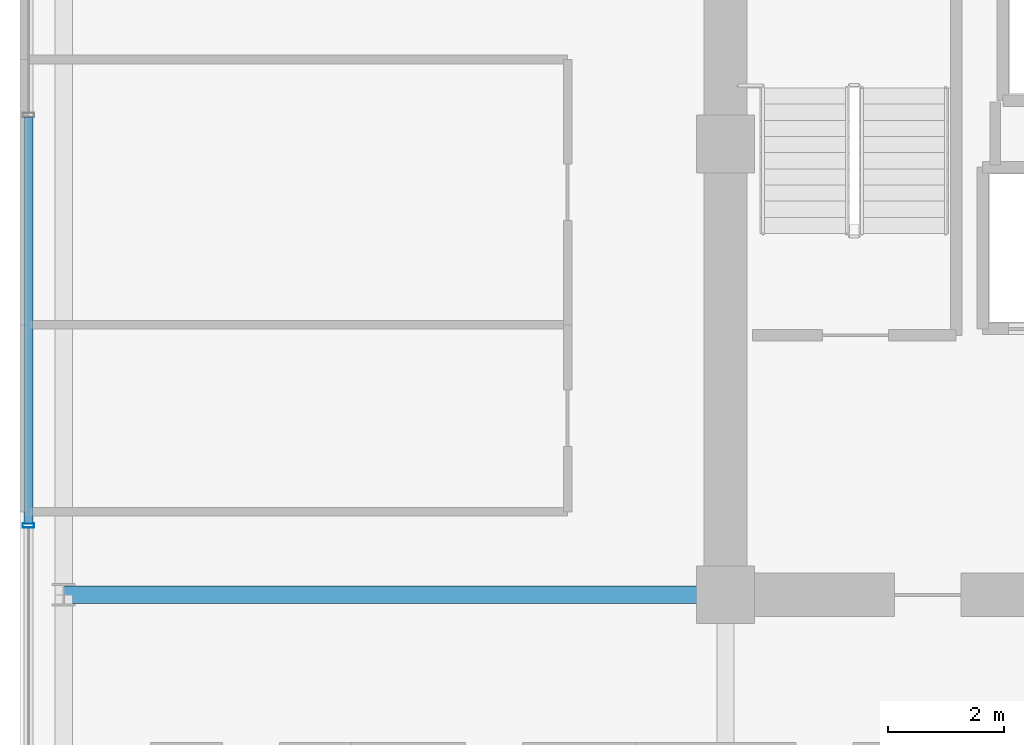
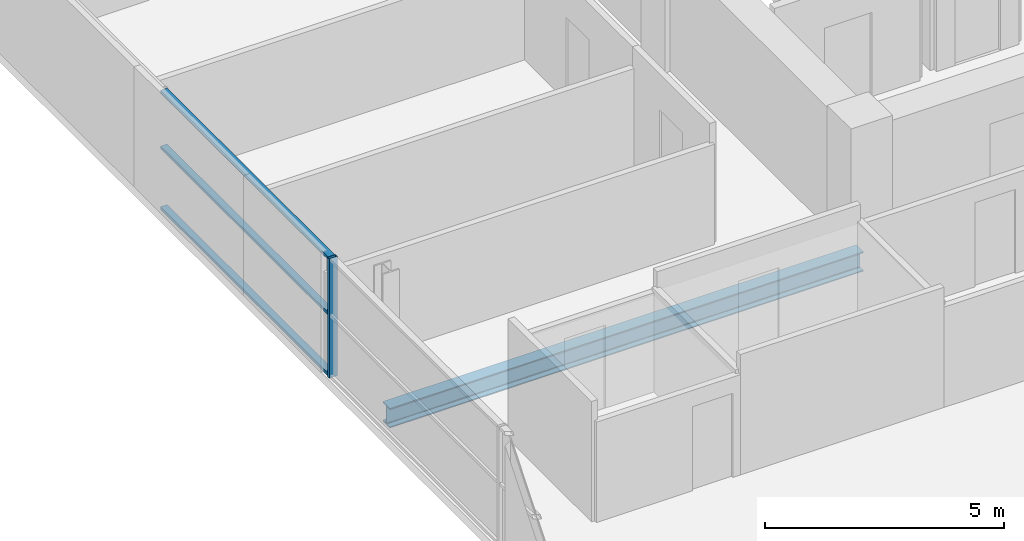
# One storey, part 9 of 25: 4 members, 1 beam, 1 element without a shape of its own.
"""IFC4 building model written with IfcOpenShell, lengths in metres."""

from ifc_helpers import new_model, si_unit, direction, frame, origin, origin_2d, place, context, subcontext, project, spatial, hollow_rectangle, i_section, extrude, source, transform, mapped, material, layer, layer_set, material_profile, profile_set, type_object, element, aggregate, save


model = new_model("IFC4")

# Units and contexts
model_context = context("Model", 3, precision=1e-05, world=origin(), true_north=direction((0.0, 1.0)))
body_context = subcontext(model_context, "Body", "Model", "MODEL_VIEW")
ifc_project = project(units=[si_unit("LENGTHUNIT", "METRE"), si_unit("AREAUNIT", "SQUARE_METRE"), si_unit("VOLUMEUNIT", "CUBIC_METRE"), si_unit("PLANEANGLEUNIT", "RADIAN"), si_unit("MASSUNIT", "GRAM", prefix="KILO")], contexts=[model_context])

# Site, building, storey
site_placement = place(None, origin())
site = spatial("IfcSite", under=ifc_project, at=site_placement, CompositionType="ELEMENT")
building_placement = place(site_placement, origin())
building = spatial("IfcBuilding", under=site, at=building_placement, Name="Zarnakvel Exchange Tower", CompositionType="ELEMENT")
storey_placement = place(building_placement, frame((0.0, 0.0, 169.300048828125)))
storey = spatial("IfcBuildingStorey", under=building, at=storey_placement, Name="L47", CompositionType="ELEMENT", Elevation=169.300048828125)

# Beam
ifc_material_1 = material(Name="Steel S355", Category="steel")
ifc_material_profile_1 = material_profile(ifc_material_1, i_section(OverallWidth=0.300048828125, OverallDepth=0.5, WebThickness=0.014404296875, FlangeThickness=0.028076171875, FilletRadius=0.027099609375, at=origin_2d()))
ifc_profile_set_1 = profile_set([ifc_material_profile_1], Name="Steel S355")
beam_type = type_object("IfcBeamType", Name="G-06", PredefinedType="BEAM", material=ifc_profile_set_1)
beam_placement = place(storey_placement, frame((-25.85009765625, -1.199951171875, -0.47509765625), z_axis=(1.0, 0.0, 0.0), x_axis=(0.0, 1.0, 0.0)))
element("IfcBeam", 1, at=beam_placement, inside=storey, type_object=beam_type, Name="L47 Tower E-W Frame Beam", PredefinedType="BEAM", context=body_context, shape_type="SweptSolid", body=[
    extrude(i_section(OverallWidth=0.300048828125, OverallDepth=0.5, WebThickness=0.014404296875, FlangeThickness=0.028076171875, FilletRadius=0.027099609375, at=origin_2d()), origin(), (0.0, 0.0, 1.0), 11.4501953125),
])

# Curtain wall, members
ifc_material_2 = material(Name="Architectural Bronze Anodised Aluminium", Category="aluminium")
ifc_layer = layer(ifc_material_2, 0.199951171875)
ifc_layer_set = layer_set([ifc_layer], Name="Architectural Bronze Anodised Aluminium")
curtain_wall_type = type_object("IfcCurtainWallType", Name="CW-04", PredefinedType="NOTDEFINED", material=ifc_layer_set)
curtain_wall_placement = place(storey_placement, origin())
curtain_wall = element("IfcCurtainWall", 2, at=curtain_wall_placement, inside=storey, type_object=curtain_wall_type, Name="L47 Curtain Wall CW-L47-W1 (CW-04)", PredefinedType="NOTDEFINED")
ifc_material_profile_2 = material_profile(ifc_material_2, hollow_rectangle(XDim=0.199951171875, YDim=0.074951171875, WallThickness=0.0048828125, at=origin_2d()))
ifc_profile_set_2 = profile_set([ifc_material_profile_2], Name="Architectural Bronze Anodised Aluminium")
member_type_1 = type_object("IfcMemberType", Name="CWM-04", PredefinedType="MULLION", material=ifc_profile_set_2)
shared_shape_1 = source(origin(), body_context, "Body", "SweptSolid", [
    extrude(hollow_rectangle(XDim=0.199951171875, YDim=0.074951171875, WallThickness=0.0048828125, at=origin_2d()), origin(), (0.0, 0.0, 1.0), 3.054931640625),
])
member_1_placement = place(storey_placement, frame((-26.4599609375, 0.0, 0.0), z_axis=(0.0, 0.0, 1.0), x_axis=(-1.0, 0.0, 0.0)))
member_1 = element("IfcMember", 3, at=member_1_placement, type_object=member_type_1, Name="CW-04 mullion 3", PredefinedType="MULLION", context=body_context, shape_type="MappedRepresentation", body=[
    mapped(shared_shape_1, transform((0.0, 0.0, 0.0), x_axis=(1.0, 0.0, 0.0), y_axis=(0.0, 1.0, 0.0), z_axis=(0.0, 0.0, 1.0), scale=1.0)),
])
ifc_material_profile_3 = material_profile(ifc_material_2, hollow_rectangle(XDim=0.159912109375, YDim=0.074951171875, WallThickness=0.00390625, at=origin_2d()))
ifc_profile_set_3 = profile_set([ifc_material_profile_3], Name="Architectural Bronze Anodised Aluminium")
member_type_2 = type_object("IfcMemberType", Name="CWT-04", PredefinedType="USERDEFINED", material=ifc_profile_set_3)
shared_shape_2 = source(origin(), body_context, "Body", "SweptSolid", [
    extrude(hollow_rectangle(XDim=0.159912109375, YDim=0.074951171875, WallThickness=0.00390625, at=origin_2d()), origin(), (0.0, 0.0, 1.0), 7.02490234375),
])
member_2_placement = place(storey_placement, frame((-26.4599609375, 0.03759765625, 0.037353515625), z_axis=(0.0, 1.0, 0.0), x_axis=(-1.0, 0.0, 0.0)))
member_2 = element("IfcMember", 4, at=member_2_placement, type_object=member_type_2, Name="CW-04 transom 3.1", ObjectType="TRANSOM", PredefinedType="USERDEFINED", context=body_context, shape_type="MappedRepresentation", body=[
    mapped(shared_shape_2, transform((0.0, 0.0, 0.0), x_axis=(1.0, 0.0, 0.0), y_axis=(0.0, 1.0, 0.0), z_axis=(0.0, 0.0, 1.0), scale=1.0)),
])
member_3_placement = place(storey_placement, frame((-26.4599609375, 0.03759765625, 1.588623046875), z_axis=(0.0, 1.0, 0.0), x_axis=(-1.0, 0.0, 0.0)))
member_3 = element("IfcMember", 5, at=member_3_placement, type_object=member_type_2, Name="CW-04 transom 3.2", ObjectType="TRANSOM", PredefinedType="USERDEFINED", context=body_context, shape_type="MappedRepresentation", body=[
    mapped(shared_shape_2, transform((0.0, 0.0, 0.0), x_axis=(1.0, 0.0, 0.0), y_axis=(0.0, 1.0, 0.0), z_axis=(0.0, 0.0, 1.0), scale=1.0)),
])
member_4_placement = place(storey_placement, frame((-26.4599609375, 0.03759765625, 3.017333984375), z_axis=(0.0, 1.0, 0.0), x_axis=(-1.0, 0.0, 0.0)))
member_4 = element("IfcMember", 6, at=member_4_placement, type_object=member_type_2, Name="CW-04 transom 3.3", ObjectType="TRANSOM", PredefinedType="USERDEFINED", context=body_context, shape_type="MappedRepresentation", body=[
    mapped(shared_shape_2, transform((0.0, 0.0, 0.0), x_axis=(1.0, 0.0, 0.0), y_axis=(0.0, 1.0, 0.0), z_axis=(0.0, 0.0, 1.0), scale=1.0)),
])
aggregate(curtain_wall, [member_1, member_2, member_3, member_4])

save(model, "model.ifc")
